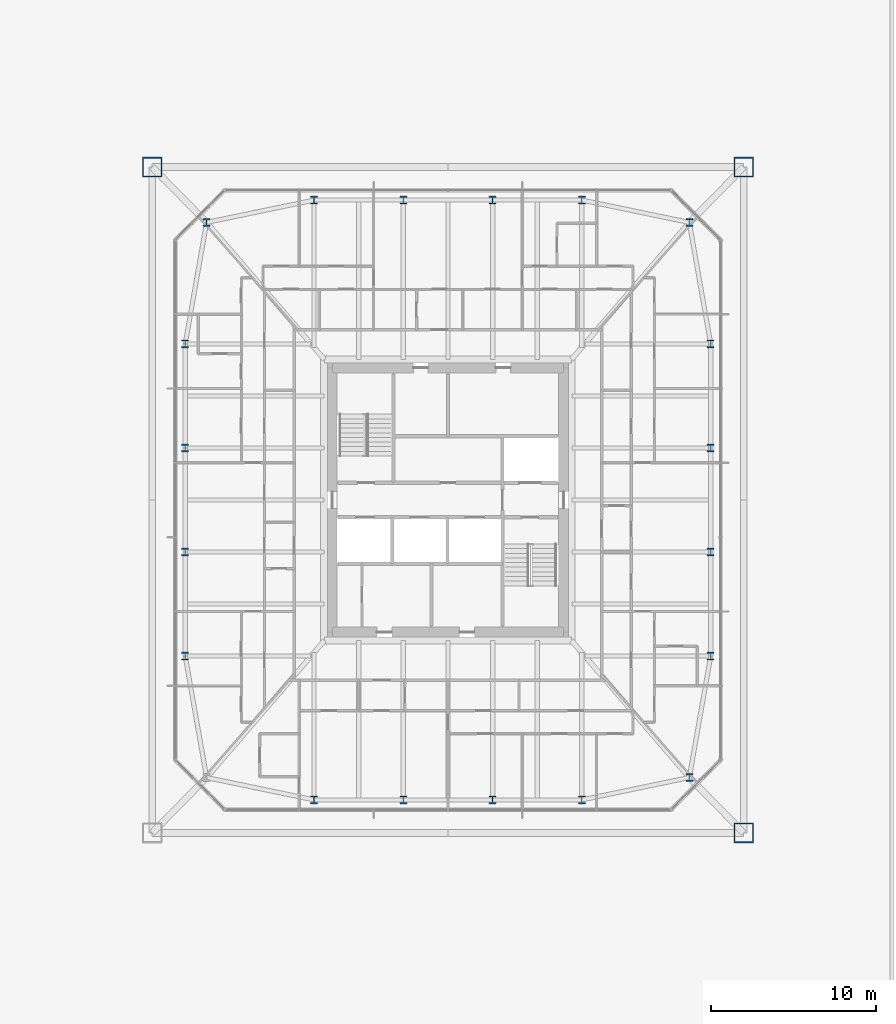
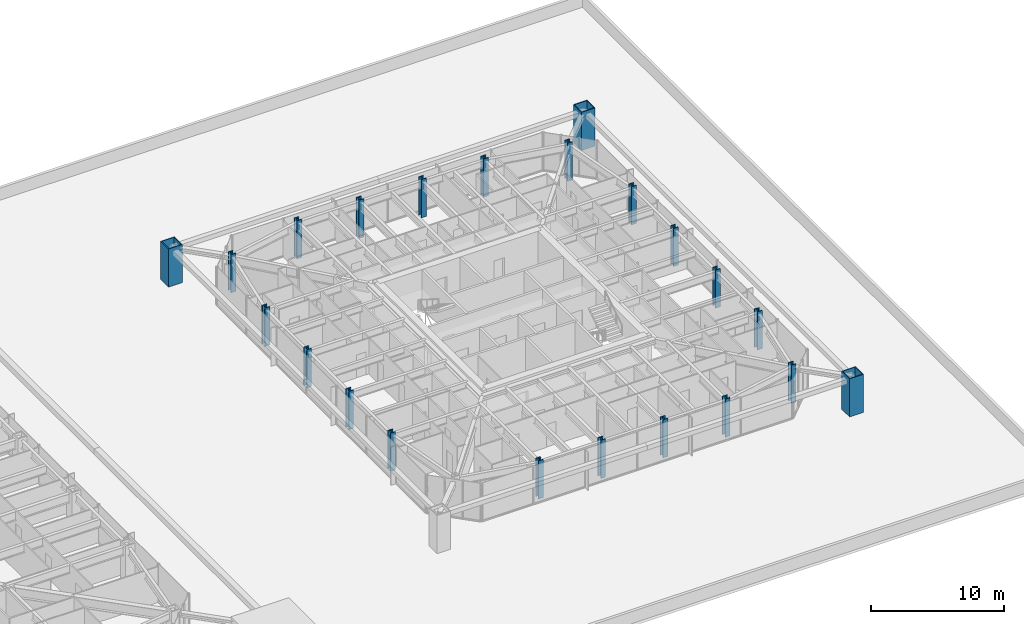
# One storey, part 2 of 31: 22 columns.
"""IFC4 building model written with IfcOpenShell, lengths in metres."""

from ifc_helpers import new_model, si_unit, direction, frame, origin, origin_2d, place, context, subcontext, project, spatial, hollow_rectangle, i_section, extrude, material, material_profile, profile_set, type_object, element, save


model = new_model("IFC4")

# Units and contexts
model_context = context("Model", 3, precision=1e-05, world=origin(), true_north=direction((0.0, 1.0)))
body_context = subcontext(model_context, "Body", "Model", "MODEL_VIEW")
ifc_project = project(units=[si_unit("LENGTHUNIT", "METRE"), si_unit("AREAUNIT", "SQUARE_METRE"), si_unit("VOLUMEUNIT", "CUBIC_METRE"), si_unit("PLANEANGLEUNIT", "RADIAN"), si_unit("MASSUNIT", "GRAM", prefix="KILO")], contexts=[model_context])

# Site, building, storey
site_placement = place(None, origin())
site = spatial("IfcSite", under=ifc_project, at=site_placement, CompositionType="ELEMENT")
building_placement = place(site_placement, origin())
building = spatial("IfcBuilding", under=site, at=building_placement, Name="Iwan Alto Co-Living Towers", CompositionType="ELEMENT")
storey_placement = place(building_placement, frame((0.0, 0.0, 15.0)))
storey = spatial("IfcBuildingStorey", under=building, at=storey_placement, Name="L03", CompositionType="ELEMENT", Elevation=15.0)

# Columns
ifc_material_1 = material(Name="Steel ASTM A572 Gr 50", Category="steel")
ifc_material_profile_1 = material_profile(ifc_material_1, hollow_rectangle(XDim=1.199951171875, YDim=1.199951171875, WallThickness=0.070068359375, at=origin_2d()), Name="BOX 1200X1200X70")
ifc_profile_set_1 = profile_set([ifc_material_profile_1], Name="Steel ASTM A572 Gr 50")
column_type_1 = type_object("IfcColumnType", Name="T2 MEGA COLUMN BOX 1200X1200X70", PredefinedType="COLUMN", material=ifc_profile_set_1)
for number, where, z_axis, x_axis, name in (
    (1, (80.89990234375, -20.14990234375, 0.0), (0.0, 0.0, 1.0), (1.0, 0.0, 0.0), "T2 mega column SE L03"),
    (2, (80.89990234375, 20.14990234375, 0.0), (0.0, 0.0, 1.0), (1.0, 0.0, 0.0), "T2 mega column NE L03"),
    (3, (45.10009765625, 20.14990234375, 0.0), (0.0, 0.0, 1.0), (1.0, 0.0, 0.0), "T2 mega column NW L03"),
):
    element("IfcColumn", number, at=place(storey_placement, frame(where, z_axis=z_axis, x_axis=x_axis)), inside=storey, type_object=column_type_1, Name=name, PredefinedType="COLUMN", context=body_context, shape_type="SweptSolid", body=[
        extrude(hollow_rectangle(XDim=1.199951171875, YDim=1.199951171875, WallThickness=0.070068359375, at=origin_2d()), origin(), (0.0, 0.0, 1.0), 3.5),
    ])
ifc_material_2 = material(Name="Steel ASTM A992 Gr 50", Category="steel")
ifc_material_profile_2 = material_profile(ifc_material_2, i_section(OverallWidth=0.424072265625, OverallDepth=0.47509765625, WebThickness=0.0478515625, FlangeThickness=0.0771484375, at=origin_2d()), Name="W14X426")
ifc_profile_set_2 = profile_set([ifc_material_profile_2], Name="Steel ASTM A992 Gr 50")
column_type_2 = type_object("IfcColumnType", Name="T2 RING COLUMN W14X426", PredefinedType="COLUMN", material=ifc_profile_set_2)
for number, where, z_axis, x_axis, name in (
    (4, (54.89990234375, -18.14990234375, 0.0), (0.0, 0.0, 1.0), (1.0, 0.0, 0.0), "T2 ring column S1 L03"),
    (5, (60.300048828125, -18.14990234375, 0.0), (0.0, 0.0, 1.0), (1.0, 0.0, 0.0), "T2 ring column S2 L03"),
    (6, (65.699951171875, -18.14990234375, 0.0), (0.0, 0.0, 1.0), (1.0, 0.0, 0.0), "T2 ring column S3 L03"),
    (7, (71.10009765625, -18.14990234375, 0.0), (0.0, 0.0, 1.0), (1.0, 0.0, 0.0), "T2 ring column S4 L03"),
    (8, (77.606201171875, -16.797119140625, 0.0), (0.0, 0.0, 1.0), (1.0, 0.0, 0.0), "T2 ring column CSE L03"),
    (9, (78.89990234375, -9.449951171875, 0.0), (0.0, 0.0, 1.0), (1.0, 0.0, 0.0), "T2 ring column E1 L03"),
    (10, (78.89990234375, -3.14990234375, 0.0), (0.0, 0.0, 1.0), (1.0, 0.0, 0.0), "T2 ring column E2 L03"),
    (11, (78.89990234375, 3.14990234375, 0.0), (0.0, 0.0, 1.0), (1.0, 0.0, 0.0), "T2 ring column E3 L03"),
    (12, (78.89990234375, 9.449951171875, 0.0), (0.0, 0.0, 1.0), (1.0, 0.0, 0.0), "T2 ring column E4 L03"),
    (13, (77.606201171875, 16.797119140625, 0.0), (0.0, 0.0, 1.0), (1.0, 0.0, 0.0), "T2 ring column CNE L03"),
    (14, (71.10009765625, 18.14990234375, 0.0), (0.0, 0.0, 1.0), (1.0, 0.0, 0.0), "T2 ring column N1 L03"),
    (15, (65.699951171875, 18.14990234375, 0.0), (0.0, 0.0, 1.0), (1.0, 0.0, 0.0), "T2 ring column N2 L03"),
    (16, (60.300048828125, 18.14990234375, 0.0), (0.0, 0.0, 1.0), (1.0, 0.0, 0.0), "T2 ring column N3 L03"),
    (17, (54.89990234375, 18.14990234375, 0.0), (0.0, 0.0, 1.0), (1.0, 0.0, 0.0), "T2 ring column N4 L03"),
    (18, (48.393798828125, 16.797119140625, 0.0), (0.0, 0.0, 1.0), (1.0, 0.0, 0.0), "T2 ring column CNW L03"),
    (19, (47.10009765625, 9.449951171875, 0.0), (0.0, 0.0, 1.0), (1.0, 0.0, 0.0), "T2 ring column W1 L03"),
    (20, (47.10009765625, 3.14990234375, 0.0), (0.0, 0.0, 1.0), (1.0, 0.0, 0.0), "T2 ring column W2 L03"),
    (21, (47.10009765625, -3.14990234375, 0.0), (0.0, 0.0, 1.0), (1.0, 0.0, 0.0), "T2 ring column W3 L03"),
    (22, (47.10009765625, -9.449951171875, 0.0), (0.0, 0.0, 1.0), (1.0, 0.0, 0.0), "T2 ring column W4 L03"),
):
    element("IfcColumn", number, at=place(storey_placement, frame(where, z_axis=z_axis, x_axis=x_axis)), inside=storey, type_object=column_type_2, Name=name, PredefinedType="COLUMN", context=body_context, shape_type="SweptSolid", body=[
        extrude(i_section(OverallWidth=0.424072265625, OverallDepth=0.47509765625, WebThickness=0.0478515625, FlangeThickness=0.0771484375, at=origin_2d()), origin(), (0.0, 0.0, 1.0), 3.5),
    ])

save(model, "model.ifc")
